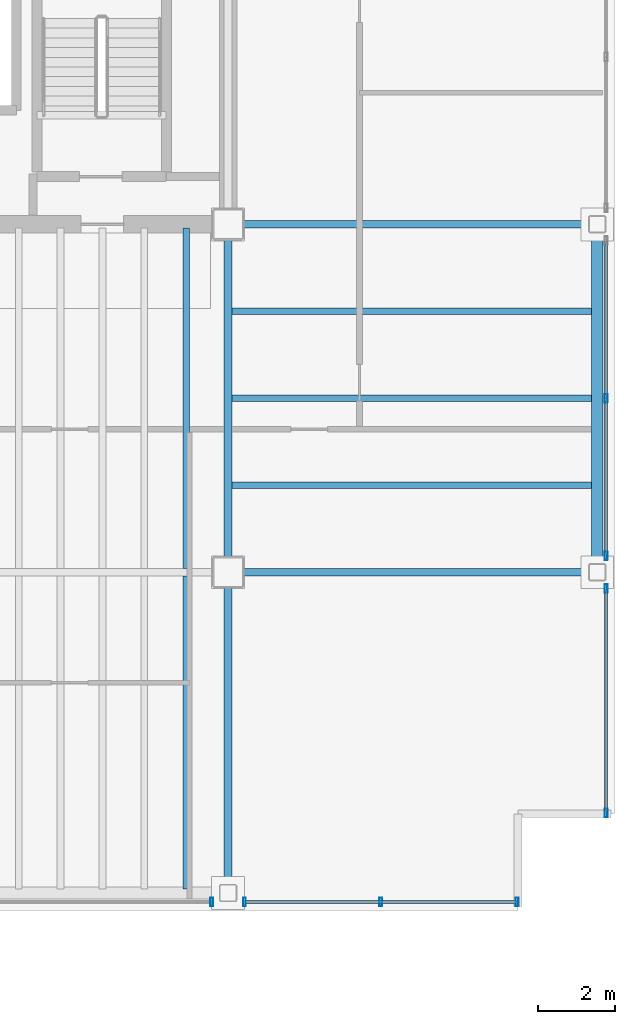
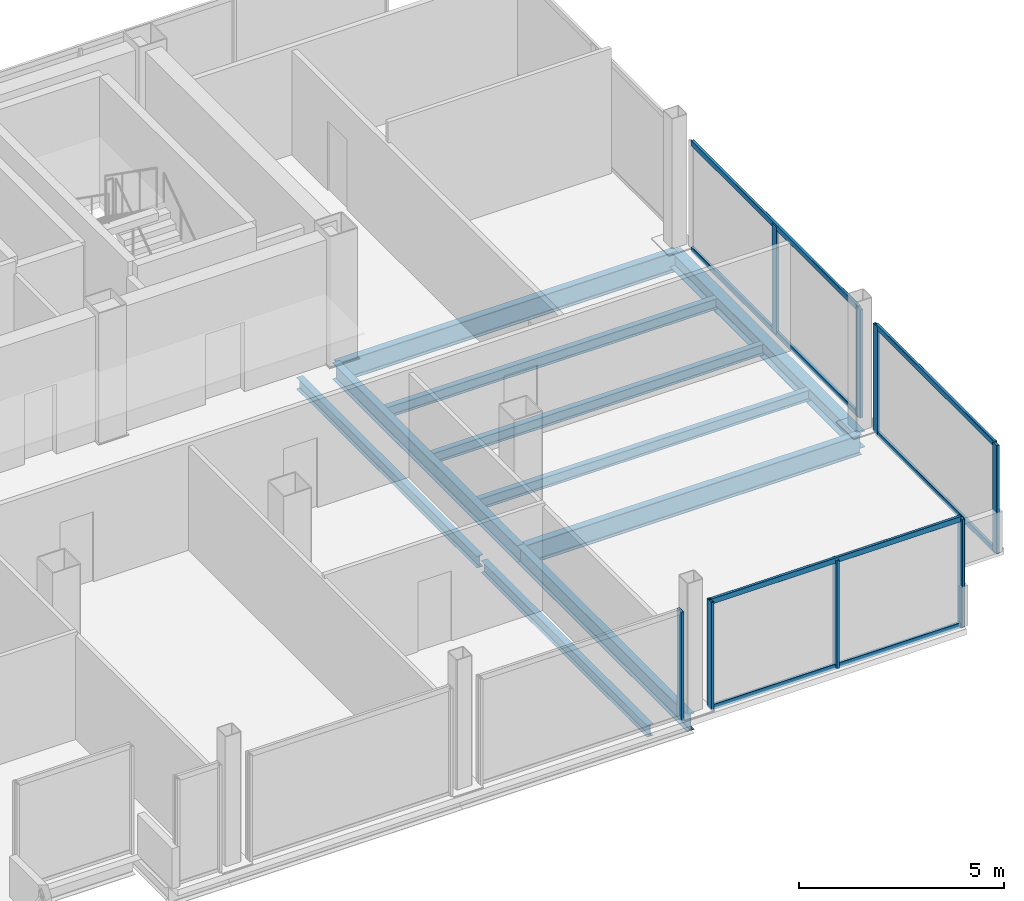
# One storey, part 10 of 15: 14 members, 10 beams, 4 elements without a shape of their own.
"""IFC4 building model written with IfcOpenShell, lengths in metres."""

from ifc_helpers import new_model, si_unit, direction, frame, origin, origin_2d, place, context, subcontext, project, spatial, hollow_rectangle, i_section, extrude, material, material_profile, profile_set, type_object, element, aggregate, save


model = new_model("IFC4")

# Units and contexts
model_context = context("Model", 3, precision=1e-05, world=origin(), true_north=direction((0.0, 1.0)))
body_context = subcontext(model_context, "Body", "Model", "MODEL_VIEW")
ifc_project = project(units=[si_unit("LENGTHUNIT", "METRE"), si_unit("AREAUNIT", "SQUARE_METRE"), si_unit("VOLUMEUNIT", "CUBIC_METRE"), si_unit("PLANEANGLEUNIT", "RADIAN"), si_unit("MASSUNIT", "GRAM", prefix="KILO")], contexts=[model_context])

# Site, building, storey
site_placement = place(None, origin())
site = spatial("IfcSite", under=ifc_project, at=site_placement, CompositionType="ELEMENT")
building_placement = place(site_placement, origin())
building = spatial("IfcBuilding", under=site, at=building_placement, Name="Noeulbin Bourse Tower", CompositionType="ELEMENT")
storey_placement = place(building_placement, frame((0.0, 0.0, 222.800048828125)))
storey = spatial("IfcBuildingStorey", under=building, at=storey_placement, Name="L55", CompositionType="ELEMENT", Elevation=222.800048828125)

# Beams
ifc_material_1 = material(Name="Steel S355", Category="steel")
ifc_material_profile_1 = material_profile(ifc_material_1, i_section(OverallWidth=0.199951171875, OverallDepth=0.5, WebThickness=0.010009765625, FlangeThickness=0.01611328125, FilletRadius=0.02001953125, at=origin_2d()), Name="H-500x200x10x16", Category="LoadBearing")
ifc_profile_set_1 = profile_set([ifc_material_profile_1], Name="Steel S355")
beam_type_1 = type_object("IfcBeamType", Name="BM-GRD-500", PredefinedType="USERDEFINED", material=ifc_profile_set_1)
beam_1_placement = place(storey_placement, frame((44.0, 11.699951171875, -0.429931640625), z_axis=(0.0, 1.0, 0.0), x_axis=(-1.0, 0.0, 0.0)))
element("IfcBeam", 1, at=beam_1_placement, inside=storey, type_object=beam_type_1, Name="Tower Primary Girder NS L55-5.1", ObjectType="GIRDER", PredefinedType="USERDEFINED", context=body_context, shape_type="SweptSolid", body=[
    extrude(i_section(OverallWidth=0.199951171875, OverallDepth=0.5, WebThickness=0.010009765625, FlangeThickness=0.01611328125, FilletRadius=0.02001953125, at=origin_2d()), origin(), (0.0, 0.0, 1.0), 8.300048828125),
])
beam_2_placement = place(storey_placement, frame((44.0, 20.0, -0.429931640625), z_axis=(0.0, 1.0, 0.0), x_axis=(-1.0, 0.0, 0.0)))
element("IfcBeam", 2, at=beam_2_placement, inside=storey, type_object=beam_type_1, Name="Tower Primary Girder NS L55-5.2", ObjectType="GIRDER", PredefinedType="USERDEFINED", context=body_context, shape_type="SweptSolid", body=[
    extrude(i_section(OverallWidth=0.199951171875, OverallDepth=0.5, WebThickness=0.010009765625, FlangeThickness=0.01611328125, FilletRadius=0.02001953125, at=origin_2d()), origin(), (0.0, 0.0, 1.0), 9.0),
])
ifc_material_profile_2 = material_profile(ifc_material_1, i_section(OverallWidth=0.199951171875, OverallDepth=0.60009765625, WebThickness=0.010986328125, FlangeThickness=0.01708984375, FilletRadius=0.02197265625, at=origin_2d()), Name="H-600x200x11x17", Category="LoadBearing")
ifc_profile_set_2 = profile_set([ifc_material_profile_2], Name="Steel S355")
beam_type_2 = type_object("IfcBeamType", Name="BM-GRD-600", PredefinedType="USERDEFINED", material=ifc_profile_set_2)
for number, where, z_axis, x_axis, name in (
    (3, (44.0, 20.0, -0.47998046875), (1.0, 0.0, 0.0), (0.0, 1.0, 0.0), "Tower Primary Girder EW L55-1.6"),
    (4, (44.0, 29.0, -0.47998046875), (1.0, 0.0, 0.0), (0.0, 1.0, 0.0), "Tower Primary Girder EW L55-2.6"),
):
    element("IfcBeam", number, at=place(storey_placement, frame(where, z_axis=z_axis, x_axis=x_axis)), inside=storey, type_object=beam_type_2, Name=name, ObjectType="GIRDER", PredefinedType="USERDEFINED", context=body_context, shape_type="SweptSolid", body=[
        extrude(i_section(OverallWidth=0.199951171875, OverallDepth=0.60009765625, WebThickness=0.010986328125, FlangeThickness=0.01708984375, FilletRadius=0.02197265625, at=origin_2d()), origin(), (0.0, 0.0, 1.0), 9.550048828125),
    ])
ifc_material_profile_3 = material_profile(ifc_material_1, i_section(OverallWidth=0.159912109375, OverallDepth=0.320068359375, WebThickness=0.006591796875, FlangeThickness=0.010009765625, FilletRadius=0.012939453125, at=origin_2d()), Name="H-320x160x6.5x10", Category="LoadBearing")
ifc_profile_set_3 = profile_set([ifc_material_profile_3], Name="Steel S355")
beam_type_3 = type_object("IfcBeamType", Name="BM-JST-320", PredefinedType="JOIST", material=ifc_profile_set_3)
for number, where, z_axis, x_axis, name in (
    (5, (44.10009765625, 22.25, -0.340087890625), (1.0, 0.0, 0.0), (0.0, 1.0, 0.0), "Wing Composite Joist L55-E50"),
    (6, (44.10009765625, 24.5, -0.340087890625), (1.0, 0.0, 0.0), (0.0, 1.0, 0.0), "Wing Composite Joist L55-E51"),
    (7, (44.10009765625, 26.75, -0.340087890625), (1.0, 0.0, 0.0), (0.0, 1.0, 0.0), "Wing Composite Joist L55-E52"),
):
    element("IfcBeam", number, at=place(storey_placement, frame(where, z_axis=z_axis, x_axis=x_axis)), inside=storey, type_object=beam_type_3, Name=name, PredefinedType="JOIST", context=body_context, shape_type="SweptSolid", body=[
        extrude(i_section(OverallWidth=0.159912109375, OverallDepth=0.320068359375, WebThickness=0.006591796875, FlangeThickness=0.010009765625, FilletRadius=0.012939453125, at=origin_2d()), origin(), (0.0, 0.0, 1.0), 9.2998046875),
    ])
ifc_material_profile_4 = material_profile(ifc_material_1, i_section(OverallWidth=0.175048828125, OverallDepth=0.35009765625, WebThickness=0.007080078125, FlangeThickness=0.010986328125, FilletRadius=0.013916015625, at=origin_2d()), Name="H-350x175x7x11", Category="LoadBearing")
ifc_profile_set_4 = profile_set([ifc_material_profile_4], Name="Steel S355")
beam_type_4 = type_object("IfcBeamType", Name="BM-JST-350", PredefinedType="JOIST", material=ifc_profile_set_4)
beam_3_placement = place(storey_placement, frame((42.916748046875, 11.800048828125, -0.35498046875), z_axis=(0.0, 1.0, 0.0), x_axis=(-1.0, 0.0, 0.0)))
element("IfcBeam", 8, at=beam_3_placement, inside=storey, type_object=beam_type_4, Name="Tower Composite Joist L55-45", PredefinedType="JOIST", context=body_context, shape_type="SweptSolid", body=[
    extrude(i_section(OverallWidth=0.175048828125, OverallDepth=0.35009765625, WebThickness=0.007080078125, FlangeThickness=0.010986328125, FilletRadius=0.013916015625, at=origin_2d()), origin(), (0.0, 0.0, 1.0), 8.099853515625),
])
beam_4_placement = place(storey_placement, frame((42.916748046875, 20.10009765625, -0.35498046875), z_axis=(0.0, 1.0, 0.0), x_axis=(-1.0, 0.0, 0.0)))
element("IfcBeam", 9, at=beam_4_placement, inside=storey, type_object=beam_type_4, Name="Tower Composite Joist L55-46", PredefinedType="JOIST", context=body_context, shape_type="SweptSolid", body=[
    extrude(i_section(OverallWidth=0.175048828125, OverallDepth=0.35009765625, WebThickness=0.007080078125, FlangeThickness=0.010986328125, FilletRadius=0.013916015625, at=origin_2d()), origin(), (0.0, 0.0, 1.0), 8.7998046875),
])
ifc_material_profile_5 = material_profile(ifc_material_1, i_section(OverallWidth=0.300048828125, OverallDepth=0.488037109375, WebThickness=0.010986328125, FlangeThickness=0.01806640625, FilletRadius=0.02197265625, at=origin_2d()), Name="H-488x300x11x18", Category="LoadBearing")
ifc_profile_set_5 = profile_set([ifc_material_profile_5], Name="Steel S355")
beam_type_5 = type_object("IfcBeamType", Name="BM-SPN-488", PredefinedType="SPANDREL", material=ifc_profile_set_5)
beam_5_placement = place(storey_placement, frame((53.550048828125, 20.0, -0.424072265625), z_axis=(0.0, 1.0, 0.0), x_axis=(-1.0, 0.0, 0.0)))
element("IfcBeam", 10, at=beam_5_placement, inside=storey, type_object=beam_type_5, Name="East Spandrel L55-1", PredefinedType="SPANDREL", context=body_context, shape_type="SweptSolid", body=[
    extrude(i_section(OverallWidth=0.300048828125, OverallDepth=0.488037109375, WebThickness=0.010986328125, FlangeThickness=0.01806640625, FilletRadius=0.02197265625, at=origin_2d()), origin(), (0.0, 0.0, 1.0), 9.0),
])

# Curtain wall, member
ifc_material_2 = material(Name="High-Selectivity Low-Iron Glazing", Category="glass")
curtain_wall_type = type_object("IfcCurtainWallType", Name="CW-SYS-4", PredefinedType="NOTDEFINED", material=ifc_material_2)
curtain_wall_1_placement = place(storey_placement, origin())
curtain_wall_1 = element("IfcCurtainWall", 11, at=curtain_wall_1_placement, inside=storey, type_object=curtain_wall_type, Name="Unitised Curtain Wall CW-L55-S3-S3", PredefinedType="NOTDEFINED")
ifc_material_3 = material(Name="Anodised Aluminium 6063-T6", Category="aluminium")
ifc_material_profile_6 = material_profile(ifc_material_3, hollow_rectangle(XDim=0.074951171875, YDim=0.219970703125, WallThickness=0.0048828125, InnerFilletRadius=0.00244140625, OuterFilletRadius=0.0048828125, at=origin_2d()), Name="ALU-MULL-75x220x5", Category="LoadBearing")
ifc_profile_set_6 = profile_set([ifc_material_profile_6], Name="Anodised Aluminium 6063-T6")
member_type_1 = type_object("IfcMemberType", Name="CW-SYS-4-MUL", PredefinedType="MULLION", material=ifc_profile_set_6)
member_1_placement = place(storey_placement, frame((43.574951171875, 11.469970703125, -0.02001953125), z_axis=(0.0, 0.0, 1.0), x_axis=(1.0, 0.0, 0.0)))
member_1 = element("IfcMember", 12, at=member_1_placement, type_object=member_type_1, Name="Curtain Wall Mullion CW-L55-S3-S3-M01", PredefinedType="MULLION", context=body_context, shape_type="SweptSolid", body=[
    extrude(hollow_rectangle(XDim=0.074951171875, YDim=0.219970703125, WallThickness=0.0048828125, InnerFilletRadius=0.00244140625, OuterFilletRadius=0.0048828125, at=origin_2d()), origin(), (0.0, 0.0, 1.0), 3.219970703125),
])
aggregate(curtain_wall_1, [member_1])

# Curtain wall, members
curtain_wall_2_placement = place(storey_placement, origin())
curtain_wall_2 = element("IfcCurtainWall", 13, at=curtain_wall_2_placement, inside=storey, type_object=curtain_wall_type, Name="Unitised Curtain Wall CW-L55-S3-S4", PredefinedType="NOTDEFINED")
member_2_placement = place(storey_placement, frame((44.425048828125, 11.469970703125, -0.02001953125), z_axis=(0.0, 0.0, 1.0), x_axis=(1.0, 0.0, 0.0)))
member_2 = element("IfcMember", 14, at=member_2_placement, type_object=member_type_1, Name="Curtain Wall Mullion CW-L55-S3-S4-M00", PredefinedType="MULLION", context=body_context, shape_type="SweptSolid", body=[
    extrude(hollow_rectangle(XDim=0.074951171875, YDim=0.219970703125, WallThickness=0.0048828125, InnerFilletRadius=0.00244140625, OuterFilletRadius=0.0048828125, at=origin_2d()), origin(), (0.0, 0.0, 1.0), 3.219970703125),
])
member_3_placement = place(storey_placement, frame((47.952392578125, 11.469970703125, -0.02001953125), z_axis=(0.0, 0.0, 1.0), x_axis=(1.0, 0.0, 0.0)))
member_3 = element("IfcMember", 15, at=member_3_placement, type_object=member_type_1, Name="Curtain Wall Mullion CW-L55-S3-S4-M01", PredefinedType="MULLION", context=body_context, shape_type="SweptSolid", body=[
    extrude(hollow_rectangle(XDim=0.074951171875, YDim=0.219970703125, WallThickness=0.0048828125, InnerFilletRadius=0.00244140625, OuterFilletRadius=0.0048828125, at=origin_2d()), origin(), (0.0, 0.0, 1.0), 3.219970703125),
])
member_4_placement = place(storey_placement, frame((51.47998046875, 11.469970703125, -0.02001953125), z_axis=(0.0, 0.0, 1.0), x_axis=(1.0, 0.0, 0.0)))
member_4 = element("IfcMember", 16, at=member_4_placement, type_object=member_type_1, Name="Curtain Wall Mullion CW-L55-S3-S4-M02", PredefinedType="MULLION", context=body_context, shape_type="SweptSolid", body=[
    extrude(hollow_rectangle(XDim=0.074951171875, YDim=0.219970703125, WallThickness=0.0048828125, InnerFilletRadius=0.00244140625, OuterFilletRadius=0.0048828125, at=origin_2d()), origin(), (0.0, 0.0, 1.0), 3.219970703125),
])

curtain_wall_3_placement = place(storey_placement, origin())
curtain_wall_3 = element("IfcCurtainWall", 17, at=curtain_wall_3_placement, inside=storey, type_object=curtain_wall_type, Name="Unitised Curtain Wall CW-L55-E-S1", PredefinedType="NOTDEFINED")
member_5_placement = place(storey_placement, frame((53.780029296875, 13.77001953125, -0.02001953125), z_axis=(0.0, 0.0, 1.0), x_axis=(1.0, 0.0, 0.0)))
member_5 = element("IfcMember", 18, at=member_5_placement, type_object=member_type_1, Name="Curtain Wall Mullion CW-L55-E-S1-M00", PredefinedType="MULLION", context=body_context, shape_type="SweptSolid", body=[
    extrude(hollow_rectangle(XDim=0.074951171875, YDim=0.219970703125, WallThickness=0.0048828125, InnerFilletRadius=0.00244140625, OuterFilletRadius=0.0048828125, at=origin_2d()), origin(), (0.0, 0.0, 1.0), 3.219970703125),
])
member_6_placement = place(storey_placement, frame((53.780029296875, 19.574951171875, -0.02001953125), z_axis=(0.0, 0.0, 1.0), x_axis=(1.0, 0.0, 0.0)))
member_6 = element("IfcMember", 19, at=member_6_placement, type_object=member_type_1, Name="Curtain Wall Mullion CW-L55-E-S1-M01", PredefinedType="MULLION", context=body_context, shape_type="SweptSolid", body=[
    extrude(hollow_rectangle(XDim=0.074951171875, YDim=0.219970703125, WallThickness=0.0048828125, InnerFilletRadius=0.00244140625, OuterFilletRadius=0.0048828125, at=origin_2d()), origin(), (0.0, 0.0, 1.0), 3.219970703125),
])

curtain_wall_4_placement = place(storey_placement, origin())
curtain_wall_4 = element("IfcCurtainWall", 20, at=curtain_wall_4_placement, inside=storey, type_object=curtain_wall_type, Name="Unitised Curtain Wall CW-L55-E-S2", PredefinedType="NOTDEFINED")
member_7_placement = place(storey_placement, frame((53.780029296875, 20.425048828125, -0.02001953125), z_axis=(0.0, 0.0, 1.0), x_axis=(1.0, 0.0, 0.0)))
member_7 = element("IfcMember", 21, at=member_7_placement, type_object=member_type_1, Name="Curtain Wall Mullion CW-L55-E-S2-M00", PredefinedType="MULLION", context=body_context, shape_type="SweptSolid", body=[
    extrude(hollow_rectangle(XDim=0.074951171875, YDim=0.219970703125, WallThickness=0.0048828125, InnerFilletRadius=0.00244140625, OuterFilletRadius=0.0048828125, at=origin_2d()), origin(), (0.0, 0.0, 1.0), 3.219970703125),
])
member_8_placement = place(storey_placement, frame((53.780029296875, 24.5, -0.02001953125), z_axis=(0.0, 0.0, 1.0), x_axis=(1.0, 0.0, 0.0)))
member_8 = element("IfcMember", 22, at=member_8_placement, type_object=member_type_1, Name="Curtain Wall Mullion CW-L55-E-S2-M01", PredefinedType="MULLION", context=body_context, shape_type="SweptSolid", body=[
    extrude(hollow_rectangle(XDim=0.074951171875, YDim=0.219970703125, WallThickness=0.0048828125, InnerFilletRadius=0.00244140625, OuterFilletRadius=0.0048828125, at=origin_2d()), origin(), (0.0, 0.0, 1.0), 3.219970703125),
])

# Member
ifc_material_profile_7 = material_profile(ifc_material_3, hollow_rectangle(XDim=0.074951171875, YDim=0.159912109375, WallThickness=0.0048828125, InnerFilletRadius=0.00244140625, OuterFilletRadius=0.0048828125, at=origin_2d()), Name="ALU-TRAN-75x160x5", Category="LoadBearing")
ifc_profile_set_7 = profile_set([ifc_material_profile_7], Name="Anodised Aluminium 6063-T6")
member_type_2 = type_object("IfcMemberType", Name="CW-SYS-4-TRN", PredefinedType="USERDEFINED", material=ifc_profile_set_7)
member_9_placement = place(storey_placement, frame((44.43505859375, 11.469970703125, 0.010009765625), z_axis=(1.0, 0.0, 0.0), x_axis=(0.0, 1.0, 0.0)))
member_9 = element("IfcMember", 23, at=member_9_placement, type_object=member_type_2, Name="Curtain Wall Transom CW-L55-S3-S4-T00", ObjectType="TRANSOM", PredefinedType="USERDEFINED", context=body_context, shape_type="SweptSolid", body=[
    extrude(hollow_rectangle(XDim=0.074951171875, YDim=0.159912109375, WallThickness=0.0048828125, InnerFilletRadius=0.00244140625, OuterFilletRadius=0.0048828125, at=origin_2d()), origin(), (0.0, 0.0, 1.0), 7.034912109375),
])

member_10_placement = place(storey_placement, frame((44.43505859375, 11.469970703125, 3.169921875), z_axis=(1.0, 0.0, 0.0), x_axis=(0.0, 1.0, 0.0)))
member_10 = element("IfcMember", 24, at=member_10_placement, type_object=member_type_2, Name="Curtain Wall Transom CW-L55-S3-S4-T01", ObjectType="TRANSOM", PredefinedType="USERDEFINED", context=body_context, shape_type="SweptSolid", body=[
    extrude(hollow_rectangle(XDim=0.074951171875, YDim=0.159912109375, WallThickness=0.0048828125, InnerFilletRadius=0.00244140625, OuterFilletRadius=0.0048828125, at=origin_2d()), origin(), (0.0, 0.0, 1.0), 7.034912109375),
])

aggregate(curtain_wall_2, [member_2, member_3, member_4, member_9, member_10])

member_11_placement = place(storey_placement, frame((53.780029296875, 13.780029296875, 0.010009765625), z_axis=(0.0, 1.0, 0.0), x_axis=(-1.0, 0.0, 0.0)))
member_11 = element("IfcMember", 25, at=member_11_placement, type_object=member_type_2, Name="Curtain Wall Transom CW-L55-E-S1-T00", ObjectType="TRANSOM", PredefinedType="USERDEFINED", context=body_context, shape_type="SweptSolid", body=[
    extrude(hollow_rectangle(XDim=0.074951171875, YDim=0.159912109375, WallThickness=0.0048828125, InnerFilletRadius=0.00244140625, OuterFilletRadius=0.0048828125, at=origin_2d()), origin(), (0.0, 0.0, 1.0), 5.784912109375),
])

member_12_placement = place(storey_placement, frame((53.780029296875, 13.780029296875, 3.169921875), z_axis=(0.0, 1.0, 0.0), x_axis=(-1.0, 0.0, 0.0)))
member_12 = element("IfcMember", 26, at=member_12_placement, type_object=member_type_2, Name="Curtain Wall Transom CW-L55-E-S1-T01", ObjectType="TRANSOM", PredefinedType="USERDEFINED", context=body_context, shape_type="SweptSolid", body=[
    extrude(hollow_rectangle(XDim=0.074951171875, YDim=0.159912109375, WallThickness=0.0048828125, InnerFilletRadius=0.00244140625, OuterFilletRadius=0.0048828125, at=origin_2d()), origin(), (0.0, 0.0, 1.0), 5.784912109375),
])

aggregate(curtain_wall_3, [member_5, member_6, member_11, member_12])

member_13_placement = place(storey_placement, frame((53.780029296875, 20.43505859375, 0.010009765625), z_axis=(0.0, 1.0, 0.0), x_axis=(-1.0, 0.0, 0.0)))
member_13 = element("IfcMember", 27, at=member_13_placement, type_object=member_type_2, Name="Curtain Wall Transom CW-L55-E-S2-T00", ObjectType="TRANSOM", PredefinedType="USERDEFINED", context=body_context, shape_type="SweptSolid", body=[
    extrude(hollow_rectangle(XDim=0.074951171875, YDim=0.159912109375, WallThickness=0.0048828125, InnerFilletRadius=0.00244140625, OuterFilletRadius=0.0048828125, at=origin_2d()), origin(), (0.0, 0.0, 1.0), 8.1298828125),
])

member_14_placement = place(storey_placement, frame((53.780029296875, 20.43505859375, 3.169921875), z_axis=(0.0, 1.0, 0.0), x_axis=(-1.0, 0.0, 0.0)))
member_14 = element("IfcMember", 28, at=member_14_placement, type_object=member_type_2, Name="Curtain Wall Transom CW-L55-E-S2-T01", ObjectType="TRANSOM", PredefinedType="USERDEFINED", context=body_context, shape_type="SweptSolid", body=[
    extrude(hollow_rectangle(XDim=0.074951171875, YDim=0.159912109375, WallThickness=0.0048828125, InnerFilletRadius=0.00244140625, OuterFilletRadius=0.0048828125, at=origin_2d()), origin(), (0.0, 0.0, 1.0), 8.1298828125),
])

aggregate(curtain_wall_4, [member_7, member_8, member_13, member_14])

save(model, "model.ifc")
